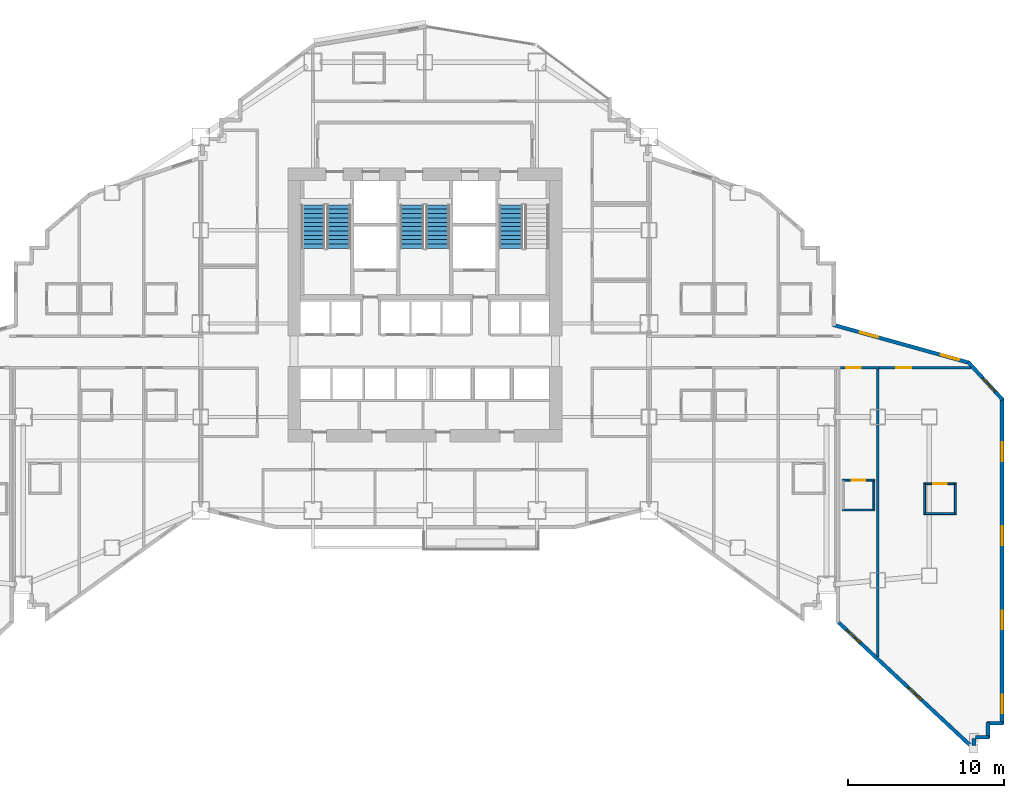
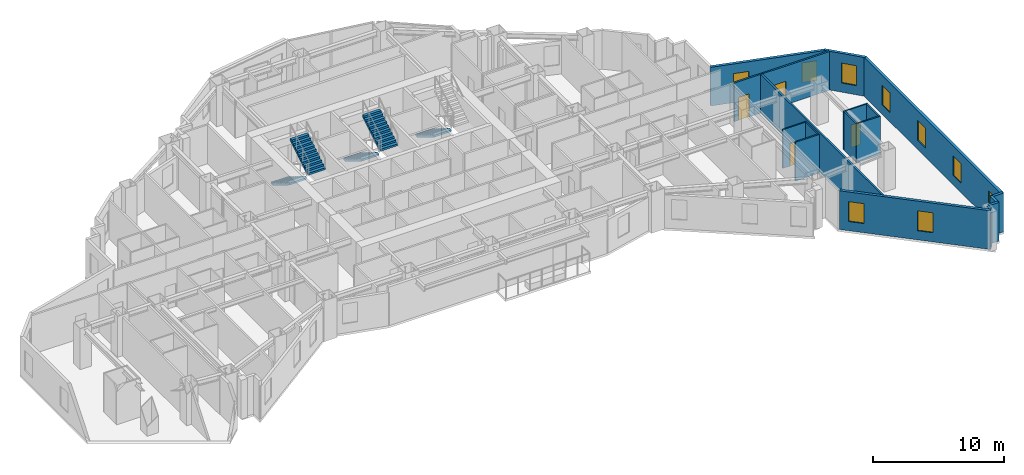
# One storey, part 13 of 17: 18 walls, 9 windows, 5 stair flights, 4 doors, 13 openings, 3 elements without a shape of their own.
"""IFC4 building model written with IfcOpenShell, lengths in metres."""

from ifc_helpers import new_model, si_unit, direction, frame, frame_2d, origin, place, context, subcontext, project, spatial, polyline, rectangle, outline, extrude, material, layer, layer_set, type_object, element, fill, aggregate, save


model = new_model("IFC4")

# Units and contexts
model_context = context("Model", 3, precision=1e-05, world=origin(), true_north=direction((0.0, 1.0)))
body_context = subcontext(model_context, "Body", "Model", "MODEL_VIEW")
ifc_project = project(units=[si_unit("LENGTHUNIT", "METRE"), si_unit("AREAUNIT", "SQUARE_METRE"), si_unit("VOLUMEUNIT", "CUBIC_METRE"), si_unit("PLANEANGLEUNIT", "RADIAN"), si_unit("MASSUNIT", "GRAM", prefix="KILO")], contexts=[model_context])

# Site, building, storey
site_placement = place(None, origin())
site = spatial("IfcSite", under=ifc_project, at=site_placement, CompositionType="ELEMENT")
building_placement = place(site_placement, origin())
building = spatial("IfcBuilding", under=site, at=building_placement, Name="Haolan Belvedere Tower", CompositionType="ELEMENT")
storey_placement = place(building_placement, frame((0.0, 0.0, 81.800048828125)))
storey = spatial("IfcBuildingStorey", under=building, at=storey_placement, Name="L20", CompositionType="ELEMENT", Elevation=81.800048828125)

# Wall, openings, windows
ifc_material_1 = material(Name="Precast concrete C40/50", Category="concrete")
ifc_layer_1 = layer(ifc_material_1, 0.239990234375, Name="Precast concrete C40/50")
ifc_layer_set_1 = layer_set([ifc_layer_1], Name="Precast concrete C40/50")
wall_type_1 = type_object("IfcWallType", Name="WL-EXT-240", PredefinedType="SOLIDWALL", material=ifc_layer_set_1)
wall_1_placement = place(storey_placement, frame((64.978515625, 14.3974609375, 0.0), z_axis=(0.0, 0.0, 1.0), x_axis=(0.731053894258, -0.682319722484, 0.0)))
wall_1 = element("IfcWall", 1, at=wall_1_placement, inside=storey, type_object=wall_type_1, Name="L20 pale-metal exterior spandrel wall 21.1", PredefinedType="SOLIDWALL", context=body_context, shape_type="SweptSolid", body=[
    extrude(rectangle(XDim=11.817626953125, YDim=0.239990234375, at=frame_2d((5.90869140625, 0.0))), origin(), (0.0, 0.0, 1.0), 3.599853515625),
])
opening_1_placement = place(wall_1_placement, frame((0.699951171875, 0.0, 0.85009765625)))
opening_1 = element("IfcOpeningElement", 2, at=opening_1_placement, cuts=wall_1, Name="Opening W-01", PredefinedType="OPENING", context=body_context, shape_type="SweptSolid", body=[
    extrude(rectangle(XDim=1.199951171875, YDim=1.85009765625, at=frame_2d((0.60009765625, 0.925048828125))), frame((0.0, 0.1298828125, 0.0), z_axis=(0.0, -1.0, 0.0), x_axis=(1.0, 0.0, 0.0)), (0.0, 0.0, 1.0), 0.260009765625),
])
opening_2_placement = place(wall_1_placement, frame((6.10009765625, 0.0, 0.85009765625)))
opening_2 = element("IfcOpeningElement", 3, at=opening_2_placement, cuts=wall_1, Name="Opening W-01", PredefinedType="OPENING", context=body_context, shape_type="SweptSolid", body=[
    extrude(rectangle(XDim=1.199951171875, YDim=1.85009765625, at=frame_2d((0.60009765625, 0.925048828125))), frame((0.0, 0.1298828125, 0.0), z_axis=(0.0, -1.0, 0.0), x_axis=(1.0, 0.0, 0.0)), (0.0, 0.0, 1.0), 0.260009765625),
])
ifc_material_2 = material(Name="Anodised aluminium 6063-T6 and Low-E glass", Category="aluminium")
window_type = type_object("IfcWindowType", Name="WN-DECO-Z1", PartitioningType="SINGLE_PANEL", PredefinedType="WINDOW", material=ifc_material_2)
window_1_placement = place(opening_1_placement, origin())
window_1 = element("IfcWindow", 4, at=window_1_placement, inside=storey, type_object=window_type, Name="L20 Art Deco chevron window 1", OverallHeight=1.85009765625, OverallWidth=1.199951171875, PartitioningType="SINGLE_PANEL", PredefinedType="WINDOW", context=body_context, shape_type="SweptSolid", body=[
    extrude(rectangle(XDim=1.199951171875, YDim=1.85009765625, at=frame_2d((0.60009765625, 0.925048828125))), frame((0.0, 0.030029296875, 0.0), z_axis=(0.0, -1.0, 0.0), x_axis=(1.0, 0.0, 0.0)), (0.0, 0.0, 1.0), 0.06005859375),
])
fill(opening_1, window_1)
window_2_placement = place(opening_2_placement, origin())
window_2 = element("IfcWindow", 5, at=window_2_placement, inside=storey, type_object=window_type, Name="L20 Art Deco chevron window 2", OverallHeight=1.85009765625, OverallWidth=1.199951171875, PartitioningType="SINGLE_PANEL", PredefinedType="WINDOW", context=body_context, shape_type="SweptSolid", body=[
    extrude(rectangle(XDim=1.199951171875, YDim=1.85009765625, at=frame_2d((0.60009765625, 0.925048828125))), frame((0.0, 0.030029296875, 0.0), z_axis=(0.0, -1.0, 0.0), x_axis=(1.0, 0.0, 0.0)), (0.0, 0.0, 1.0), 0.06005859375),
])
fill(opening_2, window_2)

# Walls
wall_2_placement = place(storey_placement, frame((73.679931640625, 6.481201171875, 0.0), z_axis=(0.0, 0.0, 1.0), x_axis=(0.0, 1.0, 0.0)))
element("IfcWall", 6, at=wall_2_placement, inside=storey, type_object=wall_type_1, Name="L20 pale-metal exterior spandrel wall 22.1", PredefinedType="SOLIDWALL", context=body_context, shape_type="SweptSolid", body=[
    extrude(rectangle(XDim=0.453857421875, YDim=0.239990234375, at=frame_2d((0.22705078125, 0.0))), origin(), (0.0, 0.0, 1.0), 3.599853515625),
])
wall_3_placement = place(storey_placement, frame((73.764892578125, 7.02001953125, 0.0), z_axis=(0.0, 0.0, 1.0), x_axis=(1.0, 0.0, 0.0)))
element("IfcWall", 7, at=wall_3_placement, inside=storey, type_object=wall_type_1, Name="L20 pale-metal exterior spandrel wall 23.1", PredefinedType="SOLIDWALL", context=body_context, shape_type="SweptSolid", body=[
    extrude(rectangle(XDim=0.8701171875, YDim=0.239990234375, at=frame_2d((0.43505859375, 0.0))), origin(), (0.0, 0.0, 1.0), 3.599853515625),
])
for number, where, z_axis, x_axis, name in (
    (8, (74.580078125, 6.965087890625, 0.0), (0.0, 0.0, 1.0), (0.0, 1.0, 0.0), "L20 pale-metal exterior spandrel wall 24.1"),
    (9, (74.52490234375, 7.919921875, 0.0), (0.0, 0.0, 1.0), (1.0, 0.0, 0.0), "L20 pale-metal exterior spandrel wall 25.1"),
):
    element("IfcWall", number, at=place(storey_placement, frame(where, z_axis=z_axis, x_axis=x_axis)), inside=storey, type_object=wall_type_1, Name=name, PredefinedType="SOLIDWALL", context=body_context, shape_type="SweptSolid", body=[
        extrude(rectangle(XDim=1.010009765625, YDim=0.239990234375, at=frame_2d((0.5048828125, 0.0))), origin(), (0.0, 0.0, 1.0), 3.599853515625),
    ])

# Wall, openings, windows
wall_4_placement = place(storey_placement, frame((75.47998046875, 7.864990234375, 0.0), z_axis=(0.0, 0.0, 1.0), x_axis=(0.0, 1.0, 0.0)))
wall_4 = element("IfcWall", 10, at=wall_4_placement, inside=storey, type_object=wall_type_1, Name="L20 pale-metal exterior spandrel wall 26.1", PredefinedType="SOLIDWALL", context=body_context, shape_type="SweptSolid", body=[
    extrude(rectangle(XDim=20.943359375, YDim=0.239990234375, at=frame_2d((10.4716796875, 0.0))), origin(), (0.0, 0.0, 1.0), 3.599853515625),
])
opening_3_placement = place(wall_4_placement, frame((0.699951171875, 0.0, 0.85009765625)))
opening_3 = element("IfcOpeningElement", 11, at=opening_3_placement, cuts=wall_4, Name="Opening W-01", PredefinedType="OPENING", context=body_context, shape_type="SweptSolid", body=[
    extrude(rectangle(XDim=1.199951171875, YDim=1.85009765625, at=frame_2d((0.60009765625, 0.925048828125))), frame((0.0, 0.1298828125, 0.0), z_axis=(0.0, -1.0, 0.0), x_axis=(1.0, 0.0, 0.0)), (0.0, 0.0, 1.0), 0.260009765625),
])
opening_4_placement = place(wall_4_placement, frame((6.10009765625, 0.0, 0.85009765625)))
opening_4 = element("IfcOpeningElement", 12, at=opening_4_placement, cuts=wall_4, Name="Opening W-01", PredefinedType="OPENING", context=body_context, shape_type="SweptSolid", body=[
    extrude(rectangle(XDim=1.199951171875, YDim=1.85009765625, at=frame_2d((0.60009765625, 0.925048828125))), frame((0.0, 0.1298828125, 0.0), z_axis=(0.0, -1.0, 0.0), x_axis=(1.0, 0.0, 0.0)), (0.0, 0.0, 1.0), 0.260009765625),
])
opening_5_placement = place(wall_4_placement, frame((11.5, 0.0, 0.85009765625)))
opening_5 = element("IfcOpeningElement", 13, at=opening_5_placement, cuts=wall_4, Name="Opening W-01", PredefinedType="OPENING", context=body_context, shape_type="SweptSolid", body=[
    extrude(rectangle(XDim=1.199951171875, YDim=1.85009765625, at=frame_2d((0.60009765625, 0.925048828125))), frame((0.0, 0.1298828125, 0.0), z_axis=(0.0, -1.0, 0.0), x_axis=(1.0, 0.0, 0.0)), (0.0, 0.0, 1.0), 0.260009765625),
])
opening_6_placement = place(wall_4_placement, frame((16.89990234375, 0.0, 0.85009765625)))
opening_6 = element("IfcOpeningElement", 14, at=opening_6_placement, cuts=wall_4, Name="Opening W-01", PredefinedType="OPENING", context=body_context, shape_type="SweptSolid", body=[
    extrude(rectangle(XDim=1.199951171875, YDim=1.85009765625, at=frame_2d((0.60009765625, 0.925048828125))), frame((0.0, 0.1298828125, 0.0), z_axis=(0.0, -1.0, 0.0), x_axis=(1.0, 0.0, 0.0)), (0.0, 0.0, 1.0), 0.260009765625),
])
window_3_placement = place(opening_3_placement, origin())
window_3 = element("IfcWindow", 15, at=window_3_placement, inside=storey, type_object=window_type, Name="L20 Art Deco chevron window 1", OverallHeight=1.85009765625, OverallWidth=1.199951171875, PartitioningType="SINGLE_PANEL", PredefinedType="WINDOW", context=body_context, shape_type="SweptSolid", body=[
    extrude(rectangle(XDim=1.199951171875, YDim=1.85009765625, at=frame_2d((0.60009765625, 0.925048828125))), frame((0.0, 0.030029296875, 0.0), z_axis=(0.0, -1.0, 0.0), x_axis=(1.0, 0.0, 0.0)), (0.0, 0.0, 1.0), 0.06005859375),
])
fill(opening_3, window_3)
window_4_placement = place(opening_4_placement, origin())
window_4 = element("IfcWindow", 16, at=window_4_placement, inside=storey, type_object=window_type, Name="L20 Art Deco chevron window 2", OverallHeight=1.85009765625, OverallWidth=1.199951171875, PartitioningType="SINGLE_PANEL", PredefinedType="WINDOW", context=body_context, shape_type="SweptSolid", body=[
    extrude(rectangle(XDim=1.199951171875, YDim=1.85009765625, at=frame_2d((0.60009765625, 0.925048828125))), frame((0.0, 0.030029296875, 0.0), z_axis=(0.0, -1.0, 0.0), x_axis=(1.0, 0.0, 0.0)), (0.0, 0.0, 1.0), 0.06005859375),
])
fill(opening_4, window_4)
window_5_placement = place(opening_5_placement, origin())
window_5 = element("IfcWindow", 17, at=window_5_placement, inside=storey, type_object=window_type, Name="L20 Art Deco chevron window 3", OverallHeight=1.85009765625, OverallWidth=1.199951171875, PartitioningType="SINGLE_PANEL", PredefinedType="WINDOW", context=body_context, shape_type="SweptSolid", body=[
    extrude(rectangle(XDim=1.199951171875, YDim=1.85009765625, at=frame_2d((0.60009765625, 0.925048828125))), frame((0.0, 0.030029296875, 0.0), z_axis=(0.0, -1.0, 0.0), x_axis=(1.0, 0.0, 0.0)), (0.0, 0.0, 1.0), 0.06005859375),
])
fill(opening_5, window_5)
window_6_placement = place(opening_6_placement, origin())
window_6 = element("IfcWindow", 18, at=window_6_placement, inside=storey, type_object=window_type, Name="L20 Art Deco chevron window 4", OverallHeight=1.85009765625, OverallWidth=1.199951171875, PartitioningType="SINGLE_PANEL", PredefinedType="WINDOW", context=body_context, shape_type="SweptSolid", body=[
    extrude(rectangle(XDim=1.199951171875, YDim=1.85009765625, at=frame_2d((0.60009765625, 0.925048828125))), frame((0.0, 0.030029296875, 0.0), z_axis=(0.0, -1.0, 0.0), x_axis=(1.0, 0.0, 0.0)), (0.0, 0.0, 1.0), 0.06005859375),
])
fill(opening_6, window_6)

# Wall, opening, window
wall_5_placement = place(storey_placement, frame((75.51708984375, 28.712890625, 0.0), z_axis=(0.0, 0.0, 1.0), x_axis=(-0.67574145796, 0.737138712858, 0.0)))
wall_5 = element("IfcWall", 19, at=wall_5_placement, inside=storey, type_object=wall_type_1, Name="L20 pale-metal exterior spandrel wall 27.1", PredefinedType="SOLIDWALL", context=body_context, shape_type="SweptSolid", body=[
    extrude(rectangle(XDim=3.284423828125, YDim=0.239990234375, at=frame_2d((1.64208984375, 0.0))), origin(), (0.0, 0.0, 1.0), 3.599853515625),
])
opening_7_placement = place(wall_5_placement, frame((0.699951171875, 0.0, 0.85009765625)))
opening_7 = element("IfcOpeningElement", 20, at=opening_7_placement, cuts=wall_5, Name="Opening W-01", PredefinedType="OPENING", context=body_context, shape_type="SweptSolid", body=[
    extrude(rectangle(XDim=1.199951171875, YDim=1.85009765625, at=frame_2d((0.60009765625, 0.925048828125))), frame((0.0, 0.1298828125, 0.0), z_axis=(0.0, -1.0, 0.0), x_axis=(1.0, 0.0, 0.0)), (0.0, 0.0, 1.0), 0.260009765625),
])
window_7_placement = place(opening_7_placement, origin())
window_7 = element("IfcWindow", 21, at=window_7_placement, inside=storey, type_object=window_type, Name="L20 Art Deco chevron window 1", OverallHeight=1.85009765625, OverallWidth=1.199951171875, PartitioningType="SINGLE_PANEL", PredefinedType="WINDOW", context=body_context, shape_type="SweptSolid", body=[
    extrude(rectangle(XDim=1.199951171875, YDim=1.85009765625, at=frame_2d((0.60009765625, 0.925048828125))), frame((0.0, 0.030029296875, 0.0), z_axis=(0.0, -1.0, 0.0), x_axis=(1.0, 0.0, 0.0)), (0.0, 0.0, 1.0), 0.06005859375),
])
fill(opening_7, window_7)

# Wall, openings, windows
wall_6_placement = place(storey_placement, frame((73.3876953125, 31.078857421875, 0.0), z_axis=(0.0, 0.0, 1.0), x_axis=(-0.963197271032, 0.268795493036, 0.0)))
wall_6 = element("IfcWall", 22, at=wall_6_placement, inside=storey, type_object=wall_type_1, Name="L20 pale-metal exterior spandrel wall 28.1", PredefinedType="SOLIDWALL", context=body_context, shape_type="SweptSolid", body=[
    extrude(rectangle(XDim=9.095458984375, YDim=0.239990234375, at=frame_2d((4.5478515625, 0.0))), origin(), (0.0, 0.0, 1.0), 3.599853515625),
])
opening_8_placement = place(wall_6_placement, frame((0.699951171875, 0.0, 0.85009765625)))
opening_8 = element("IfcOpeningElement", 23, at=opening_8_placement, cuts=wall_6, Name="Opening W-01", PredefinedType="OPENING", context=body_context, shape_type="SweptSolid", body=[
    extrude(rectangle(XDim=1.199951171875, YDim=1.85009765625, at=frame_2d((0.60009765625, 0.925048828125))), frame((0.0, 0.1298828125, 0.0), z_axis=(0.0, -1.0, 0.0), x_axis=(1.0, 0.0, 0.0)), (0.0, 0.0, 1.0), 0.260009765625),
])
opening_9_placement = place(wall_6_placement, frame((6.10009765625, 0.0, 0.85009765625)))
opening_9 = element("IfcOpeningElement", 24, at=opening_9_placement, cuts=wall_6, Name="Opening W-01", PredefinedType="OPENING", context=body_context, shape_type="SweptSolid", body=[
    extrude(rectangle(XDim=1.199951171875, YDim=1.85009765625, at=frame_2d((0.60009765625, 0.925048828125))), frame((0.0, 0.1298828125, 0.0), z_axis=(0.0, -1.0, 0.0), x_axis=(1.0, 0.0, 0.0)), (0.0, 0.0, 1.0), 0.260009765625),
])
window_8_placement = place(opening_8_placement, origin())
window_8 = element("IfcWindow", 25, at=window_8_placement, inside=storey, type_object=window_type, Name="L20 Art Deco chevron window 1", OverallHeight=1.85009765625, OverallWidth=1.199951171875, PartitioningType="SINGLE_PANEL", PredefinedType="WINDOW", context=body_context, shape_type="SweptSolid", body=[
    extrude(rectangle(XDim=1.199951171875, YDim=1.85009765625, at=frame_2d((0.60009765625, 0.925048828125))), frame((0.0, 0.030029296875, 0.0), z_axis=(0.0, -1.0, 0.0), x_axis=(1.0, 0.0, 0.0)), (0.0, 0.0, 1.0), 0.06005859375),
])
fill(opening_8, window_8)
window_9_placement = place(opening_9_placement, origin())
window_9 = element("IfcWindow", 26, at=window_9_placement, inside=storey, type_object=window_type, Name="L20 Art Deco chevron window 2", OverallHeight=1.85009765625, OverallWidth=1.199951171875, PartitioningType="SINGLE_PANEL", PredefinedType="WINDOW", context=body_context, shape_type="SweptSolid", body=[
    extrude(rectangle(XDim=1.199951171875, YDim=1.85009765625, at=frame_2d((0.60009765625, 0.925048828125))), frame((0.0, 0.030029296875, 0.0), z_axis=(0.0, -1.0, 0.0), x_axis=(1.0, 0.0, 0.0)), (0.0, 0.0, 1.0), 0.06005859375),
])
fill(opening_9, window_9)

# Wall, opening, door
ifc_material_3 = material(Name="Double gypsum acoustic stud partition", Category="masonry")
ifc_layer_2 = layer(ifc_material_3, 0.14990234375, Name="Double gypsum acoustic stud partition")
ifc_layer_set_2 = layer_set([ifc_layer_2], Name="Double gypsum acoustic stud partition")
wall_type_2 = type_object("IfcWallType", Name="WL-PART-150", PredefinedType="PARTITIONING", material=ifc_layer_set_2)
wall_7_placement = place(storey_placement, frame((65.10205078125, 30.77001953125, 0.0), z_axis=(0.0, 0.0, 1.0), x_axis=(1.0, 0.0, 0.0)))
wall_7 = element("IfcWall", 27, at=wall_7_placement, inside=storey, type_object=wall_type_2, Name="L20 interior partition IW-L20-T5S1-N", PredefinedType="PARTITIONING", context=body_context, shape_type="SweptSolid", body=[
    extrude(rectangle(XDim=2.498046875, YDim=0.14990234375, at=frame_2d((1.2490234375, 0.0))), origin(), (0.0, 0.0, 1.0), 3.599853515625),
])
opening_10_placement = place(wall_7_placement, frame((1.311767578125, 0.0, 0.0), z_axis=(0.0, 0.0, 1.0), x_axis=(-1.0, 0.0, 0.0)))
opening_10 = element("IfcOpeningElement", 28, at=opening_10_placement, cuts=wall_7, Name="Opening ID-02", PredefinedType="OPENING", context=body_context, shape_type="SweptSolid", body=[
    extrude(rectangle(XDim=0.949951171875, YDim=2.14990234375, at=frame_2d((0.47509765625, 1.074951171875))), frame((0.0, 0.0849609375, 0.0), z_axis=(0.0, -1.0, 0.0), x_axis=(1.0, 0.0, 0.0)), (0.0, 0.0, 1.0), 0.169921875),
])
ifc_material_4 = material(Name="Acoustic oak veneer fire-rated timber", Category="wood")
door_type_1 = type_object("IfcDoorType", Name="DR-GUEST-950", OperationType="NOTDEFINED", PredefinedType="DOOR", material=ifc_material_4)
door_1_placement = place(opening_10_placement, origin())
door_1 = element("IfcDoor", 29, at=door_1_placement, inside=storey, type_object=door_type_1, Name="L20 door ID-L20-T5S1-ENT", OperationType="SINGLE_SWING_LEFT", OverallHeight=2.14990234375, OverallWidth=0.949951171875, PredefinedType="DOOR", context=body_context, shape_type="SweptSolid", body=[
    extrude(rectangle(XDim=0.949951171875, YDim=2.14990234375, at=frame_2d((0.47509765625, 1.074951171875))), frame((0.0, 0.02490234375, 0.0), z_axis=(0.0, -1.0, 0.0), x_axis=(1.0, 0.0, 0.0)), (0.0, 0.0, 1.0), 0.050048828125),
])
fill(opening_10, door_1)

# Wall
wall_8_placement = place(storey_placement, frame((67.5, 12.187744140625, 0.0), z_axis=(0.0, 0.0, 1.0), x_axis=(0.0, 1.0, 0.0)))
element("IfcWall", 30, at=wall_8_placement, inside=storey, type_object=wall_type_2, Name="L20 interior partition IW-L20-T5S1-E", PredefinedType="PARTITIONING", context=body_context, shape_type="SweptSolid", body=[
    extrude(rectangle(XDim=18.522216796875, YDim=0.14990234375, at=frame_2d((9.26123046875, 0.0))), origin(), (0.0, 0.0, 1.0), 3.599853515625),
])

# Wall, opening, door
wall_9_placement = place(storey_placement, frame((67.60205078125, 30.77001953125, 0.0), z_axis=(0.0, 0.0, 1.0), x_axis=(1.0, 0.0, 0.0)))
wall_9 = element("IfcWall", 31, at=wall_9_placement, inside=storey, type_object=wall_type_2, Name="L20 interior partition IW-L20-T5S2-N", PredefinedType="PARTITIONING", context=body_context, shape_type="SweptSolid", body=[
    extrude(rectangle(XDim=5.88671875, YDim=0.14990234375, at=frame_2d((2.943359375, 0.0))), origin(), (0.0, 0.0, 1.0), 3.599853515625),
])
opening_11_placement = place(wall_9_placement, frame((2.0361328125, 0.0, 0.0), z_axis=(0.0, 0.0, 1.0), x_axis=(-1.0, 0.0, 0.0)))
opening_11 = element("IfcOpeningElement", 32, at=opening_11_placement, cuts=wall_9, Name="Opening ID-01", PredefinedType="OPENING", context=body_context, shape_type="SweptSolid", body=[
    extrude(rectangle(XDim=0.949951171875, YDim=2.179931640625, at=frame_2d((0.47509765625, 1.08984375))), frame((0.0, 0.0849609375, 0.0), z_axis=(0.0, -1.0, 0.0), x_axis=(1.0, 0.0, 0.0)), (0.0, 0.0, 1.0), 0.169921875),
])
ifc_material_5 = material(Name="Acoustic walnut veneer fire-rated timber", Category="wood")
door_type_2 = type_object("IfcDoorType", Name="DR-SUITE-950", OperationType="NOTDEFINED", PredefinedType="DOOR", material=ifc_material_5)
door_2_placement = place(opening_11_placement, origin())
door_2 = element("IfcDoor", 33, at=door_2_placement, inside=storey, type_object=door_type_2, Name="L20 door ID-L20-T5S2-ENT", OperationType="SINGLE_SWING_RIGHT", OverallHeight=2.179931640625, OverallWidth=0.949951171875, PredefinedType="DOOR", context=body_context, shape_type="SweptSolid", body=[
    extrude(rectangle(XDim=0.949951171875, YDim=2.179931640625, at=frame_2d((0.47509765625, 1.08984375))), frame((0.0, 0.02490234375, 0.0), z_axis=(0.0, -1.0, 0.0), x_axis=(1.0, 0.0, 0.0)), (0.0, 0.0, 1.0), 0.050048828125),
])
fill(opening_11, door_2)

ifc_material_6 = material(Name="Moisture-resistant gypsum tile partition", Category="masonry")
ifc_layer_3 = layer(ifc_material_6, 0.1201171875, Name="Moisture-resistant gypsum tile partition")
ifc_layer_set_3 = layer_set([ifc_layer_3], Name="Moisture-resistant gypsum tile partition")
wall_type_3 = type_object("IfcWallType", Name="WL-WET-120", PredefinedType="PARTITIONING", material=ifc_layer_set_3)
wall_10_placement = place(storey_placement, frame((65.20703125, 23.541015625, 0.0), z_axis=(0.0, 0.0, 1.0), x_axis=(1.0, 0.0, 0.0)))
wall_10 = element("IfcWall", 34, at=wall_10_placement, inside=storey, type_object=wall_type_3, Name="L20 interior partition IW-L20-T5S1-BN", PredefinedType="PARTITIONING", context=body_context, shape_type="SweptSolid", body=[
    extrude(rectangle(XDim=2.099853515625, YDim=0.1201171875, at=frame_2d((1.0498046875, 0.0))), origin(), (0.0, 0.0, 1.0), 3.599853515625),
])
opening_12_placement = place(wall_10_placement, frame((1.47509765625, 0.0, 0.0), z_axis=(0.0, 0.0, 1.0), x_axis=(-1.0, 0.0, 0.0)))
opening_12 = element("IfcOpeningElement", 35, at=opening_12_placement, cuts=wall_10, Name="Opening ID-05", PredefinedType="OPENING", context=body_context, shape_type="SweptSolid", body=[
    extrude(rectangle(XDim=0.85009765625, YDim=2.10009765625, at=frame_2d((0.425048828125, 1.050048828125))), frame((0.0, 0.070068359375, 0.0), z_axis=(0.0, -1.0, 0.0), x_axis=(1.0, 0.0, 0.0)), (0.0, 0.0, 1.0), 0.14013671875),
])
ifc_material_7 = material(Name="Moisture-resistant lacquered timber", Category="wood")
door_type_3 = type_object("IfcDoorType", Name="DR-BATH-850", OperationType="NOTDEFINED", PredefinedType="DOOR", material=ifc_material_7)
door_3_placement = place(opening_12_placement, origin())
door_3 = element("IfcDoor", 36, at=door_3_placement, inside=storey, type_object=door_type_3, Name="L20 door ID-L20-T5S1-BATH", OperationType="SINGLE_SWING_RIGHT", OverallHeight=2.10009765625, OverallWidth=0.85009765625, PredefinedType="DOOR", context=body_context, shape_type="SweptSolid", body=[
    extrude(rectangle(XDim=0.85009765625, YDim=2.10009765625, at=frame_2d((0.425048828125, 1.050048828125))), frame((0.0, 0.02490234375, 0.0), z_axis=(0.0, -1.0, 0.0), x_axis=(1.0, 0.0, 0.0)), (0.0, 0.0, 1.0), 0.050048828125),
])
fill(opening_12, door_3)

# Walls
wall_11_placement = place(storey_placement, frame((65.20703125, 21.62109375, 0.0), z_axis=(0.0, 0.0, 1.0), x_axis=(1.0, 0.0, 0.0)))
element("IfcWall", 37, at=wall_11_placement, inside=storey, type_object=wall_type_3, Name="L20 interior partition IW-L20-T5S1-BS", PredefinedType="PARTITIONING", context=body_context, shape_type="SweptSolid", body=[
    extrude(rectangle(XDim=2.099853515625, YDim=0.1201171875, at=frame_2d((1.0498046875, 0.0))), origin(), (0.0, 0.0, 1.0), 3.599853515625),
])
wall_12_placement = place(storey_placement, frame((67.2470703125, 21.666015625, 0.0), z_axis=(0.0, 0.0, 1.0), x_axis=(0.0, 1.0, 0.0)))
element("IfcWall", 38, at=wall_12_placement, inside=storey, type_object=wall_type_3, Name="L20 interior partition IW-L20-T5S1-BE", PredefinedType="PARTITIONING", context=body_context, shape_type="SweptSolid", body=[
    extrude(rectangle(XDim=1.830078125, YDim=0.1201171875, at=frame_2d((0.9150390625, 0.0))), origin(), (0.0, 0.0, 1.0), 3.599853515625),
])

# Wall, opening, door
wall_13_placement = place(storey_placement, frame((70.443115234375, 23.31005859375, 0.0), z_axis=(0.0, 0.0, 1.0), x_axis=(1.0, 0.0, 0.0)))
wall_13 = element("IfcWall", 39, at=wall_13_placement, inside=storey, type_object=wall_type_3, Name="L20 interior partition IW-L20-T5S2-BN", PredefinedType="PARTITIONING", context=body_context, shape_type="SweptSolid", body=[
    extrude(rectangle(XDim=2.099853515625, YDim=0.1201171875, at=frame_2d((1.0498046875, 0.0))), origin(), (0.0, 0.0, 1.0), 3.599853515625),
])
opening_13_placement = place(wall_13_placement, frame((1.47509765625, 0.0, 0.0), z_axis=(0.0, 0.0, 1.0), x_axis=(-1.0, 0.0, 0.0)))
opening_13 = element("IfcOpeningElement", 40, at=opening_13_placement, cuts=wall_13, Name="Opening ID-05", PredefinedType="OPENING", context=body_context, shape_type="SweptSolid", body=[
    extrude(rectangle(XDim=0.85009765625, YDim=2.10009765625, at=frame_2d((0.425048828125, 1.050048828125))), frame((0.0, 0.070068359375, 0.0), z_axis=(0.0, -1.0, 0.0), x_axis=(1.0, 0.0, 0.0)), (0.0, 0.0, 1.0), 0.14013671875),
])
door_4_placement = place(opening_13_placement, origin())
door_4 = element("IfcDoor", 41, at=door_4_placement, inside=storey, type_object=door_type_3, Name="L20 door ID-L20-T5S2-BATH", OperationType="SINGLE_SWING_LEFT", OverallHeight=2.10009765625, OverallWidth=0.85009765625, PredefinedType="DOOR", context=body_context, shape_type="SweptSolid", body=[
    extrude(rectangle(XDim=0.85009765625, YDim=2.10009765625, at=frame_2d((0.425048828125, 1.050048828125))), frame((0.0, 0.02490234375, 0.0), z_axis=(0.0, -1.0, 0.0), x_axis=(1.0, 0.0, 0.0)), (0.0, 0.0, 1.0), 0.050048828125),
])
fill(opening_13, door_4)

# Walls
wall_14_placement = place(storey_placement, frame((70.443115234375, 21.389892578125, 0.0), z_axis=(0.0, 0.0, 1.0), x_axis=(1.0, 0.0, 0.0)))
element("IfcWall", 42, at=wall_14_placement, inside=storey, type_object=wall_type_3, Name="L20 interior partition IW-L20-T5S2-BS", PredefinedType="PARTITIONING", context=body_context, shape_type="SweptSolid", body=[
    extrude(rectangle(XDim=2.099853515625, YDim=0.1201171875, at=frame_2d((1.0498046875, 0.0))), origin(), (0.0, 0.0, 1.0), 3.599853515625),
])
for number, where, z_axis, x_axis, name in (
    (43, (70.5029296875, 21.43505859375, 0.0), (0.0, 0.0, 1.0), (0.0, 1.0, 0.0), "L20 interior partition IW-L20-T5S2-BW"),
    (44, (72.48291015625, 21.43505859375, 0.0), (0.0, 0.0, 1.0), (0.0, 1.0, 0.0), "L20 interior partition IW-L20-T5S2-BE"),
):
    element("IfcWall", number, at=place(storey_placement, frame(where, z_axis=z_axis, x_axis=x_axis)), inside=storey, type_object=wall_type_3, Name=name, PredefinedType="PARTITIONING", context=body_context, shape_type="SweptSolid", body=[
        extrude(rectangle(XDim=1.829833984375, YDim=0.1201171875, at=frame_2d((0.9150390625, 0.0))), origin(), (0.0, 0.0, 1.0), 3.599853515625),
    ])

# Stair, stair flights
ifc_material_8 = material(Name="Concrete C40/50", Category="concrete")
stair_type = type_object("IfcStairType", Name="STR-DL-22R-173", PredefinedType="HALF_TURN_STAIR", material=ifc_material_8)
stair_1_placement = place(storey_placement, origin())
stair_1 = element("IfcStair", 45, at=stair_1_placement, inside=storey, type_object=stair_type, Name="L20 Smokeproof Core Exit Stair ST1", PredefinedType="HALF_TURN_STAIR")
stair_flight_type = type_object("IfcStairFlightType", Name="SFL-DL-11R-173", PredefinedType="STRAIGHT", material=ifc_material_8)
stair_flight_1_placement = place(storey_placement, frame((31.2099609375, 41.22998046875, 0.0), z_axis=(0.0, 0.0, 1.0), x_axis=(0.0, -1.0, 0.0)))
stair_flight_1 = element("IfcStairFlight", 46, at=stair_flight_1_placement, type_object=stair_flight_type, Name="ST1 flight 1", NumberOfRisers=11, NumberOfTreads=10, PredefinedType="STRAIGHT", RiserHeight=0.172727273, TreadLength=0.28, context=body_context, shape_type="SweptSolid", body=[
    extrude(outline(polyline([(0.0, 0.0), (0.0, 0.172607421875), (0.280029296875, 0.172607421875), (0.280029296875, 0.345458984375), (0.56005859375, 0.345458984375), (0.56005859375, 0.51806640625), (0.840087890625, 0.51806640625), (0.840087890625, 0.69091796875), (1.1201171875, 0.69091796875), (1.1201171875, 0.863525390625), (1.39990234375, 0.863525390625), (1.39990234375, 1.036376953125), (1.679931640625, 1.036376953125), (1.679931640625, 1.208984375), (1.9599609375, 1.208984375), (1.9599609375, 1.3818359375), (2.239990234375, 1.3818359375), (2.239990234375, 1.554443359375), (2.52001953125, 1.554443359375), (2.52001953125, 1.727294921875), (2.800048828125, 1.727294921875), (2.800048828125, 1.89990234375), (2.800048828125, 1.551025390625), (0.285400390625, 0.0), (0.0, 0.0)])), frame((0.0, 0.760009765625, 0.0), z_axis=(0.0, -1.0, 0.0), x_axis=(1.0, 0.0, 0.0)), (0.0, 0.0, 1.0), 1.52001953125),
])
stair_flight_2_placement = place(storey_placement, frame((32.8701171875, 38.429931640625, 1.89990234375), z_axis=(0.0, 0.0, 1.0), x_axis=(0.0, 1.0, 0.0)))
stair_flight_2 = element("IfcStairFlight", 47, at=stair_flight_2_placement, type_object=stair_flight_type, Name="ST1 flight 2", NumberOfRisers=11, NumberOfTreads=10, PredefinedType="STRAIGHT", RiserHeight=0.172727273, TreadLength=0.28, context=body_context, shape_type="SweptSolid", body=[
    extrude(outline(polyline([(0.0, 0.0), (0.0, 0.172607421875), (0.280029296875, 0.172607421875), (0.280029296875, 0.345458984375), (0.56005859375, 0.345458984375), (0.56005859375, 0.51806640625), (0.840087890625, 0.51806640625), (0.840087890625, 0.69091796875), (1.1201171875, 0.69091796875), (1.1201171875, 0.863525390625), (1.39990234375, 0.863525390625), (1.39990234375, 1.036376953125), (1.679931640625, 1.036376953125), (1.679931640625, 1.208984375), (1.9599609375, 1.208984375), (1.9599609375, 1.3818359375), (2.239990234375, 1.3818359375), (2.239990234375, 1.554443359375), (2.52001953125, 1.554443359375), (2.52001953125, 1.727294921875), (2.800048828125, 1.727294921875), (2.800048828125, 1.89990234375), (2.800048828125, 1.551025390625), (0.285400390625, 0.0), (0.0, 0.0)])), frame((0.0, 0.760009765625, 0.0), z_axis=(0.0, -1.0, 0.0), x_axis=(1.0, 0.0, 0.0)), (0.0, 0.0, 1.0), 1.52001953125),
])
aggregate(stair_1, [stair_flight_1, stair_flight_2])

stair_2_placement = place(storey_placement, origin())
stair_2 = element("IfcStair", 48, at=stair_2_placement, inside=storey, type_object=stair_type, Name="L20 Smokeproof Core Exit Stair ST3", PredefinedType="HALF_TURN_STAIR")
stair_flight_3_placement = place(storey_placement, frame((37.570068359375, 41.22998046875, 0.0), z_axis=(0.0, 0.0, 1.0), x_axis=(0.0, -1.0, 0.0)))
stair_flight_3 = element("IfcStairFlight", 49, at=stair_flight_3_placement, type_object=stair_flight_type, Name="ST3 flight 1", NumberOfRisers=11, NumberOfTreads=10, PredefinedType="STRAIGHT", RiserHeight=0.172727273, TreadLength=0.28, context=body_context, shape_type="SweptSolid", body=[
    extrude(outline(polyline([(0.0, 0.0), (0.0, 0.172607421875), (0.280029296875, 0.172607421875), (0.280029296875, 0.345458984375), (0.56005859375, 0.345458984375), (0.56005859375, 0.51806640625), (0.840087890625, 0.51806640625), (0.840087890625, 0.69091796875), (1.1201171875, 0.69091796875), (1.1201171875, 0.863525390625), (1.39990234375, 0.863525390625), (1.39990234375, 1.036376953125), (1.679931640625, 1.036376953125), (1.679931640625, 1.208984375), (1.9599609375, 1.208984375), (1.9599609375, 1.3818359375), (2.239990234375, 1.3818359375), (2.239990234375, 1.554443359375), (2.52001953125, 1.554443359375), (2.52001953125, 1.727294921875), (2.800048828125, 1.727294921875), (2.800048828125, 1.89990234375), (2.800048828125, 1.551025390625), (0.285400390625, 0.0), (0.0, 0.0)])), frame((0.0, 0.760009765625, 0.0), z_axis=(0.0, -1.0, 0.0), x_axis=(1.0, 0.0, 0.0)), (0.0, 0.0, 1.0), 1.52001953125),
])
stair_flight_4_placement = place(storey_placement, frame((39.22998046875, 38.429931640625, 1.89990234375), z_axis=(0.0, 0.0, 1.0), x_axis=(0.0, 1.0, 0.0)))
stair_flight_4 = element("IfcStairFlight", 50, at=stair_flight_4_placement, type_object=stair_flight_type, Name="ST3 flight 2", NumberOfRisers=11, NumberOfTreads=10, PredefinedType="STRAIGHT", RiserHeight=0.172727273, TreadLength=0.28, context=body_context, shape_type="SweptSolid", body=[
    extrude(outline(polyline([(0.0, 0.0), (0.0, 0.172607421875), (0.280029296875, 0.172607421875), (0.280029296875, 0.345458984375), (0.56005859375, 0.345458984375), (0.56005859375, 0.51806640625), (0.840087890625, 0.51806640625), (0.840087890625, 0.69091796875), (1.1201171875, 0.69091796875), (1.1201171875, 0.863525390625), (1.39990234375, 0.863525390625), (1.39990234375, 1.036376953125), (1.679931640625, 1.036376953125), (1.679931640625, 1.208984375), (1.9599609375, 1.208984375), (1.9599609375, 1.3818359375), (2.239990234375, 1.3818359375), (2.239990234375, 1.554443359375), (2.52001953125, 1.554443359375), (2.52001953125, 1.727294921875), (2.800048828125, 1.727294921875), (2.800048828125, 1.89990234375), (2.800048828125, 1.551025390625), (0.285400390625, 0.0), (0.0, 0.0)])), frame((0.0, 0.760009765625, 0.0), z_axis=(0.0, -1.0, 0.0), x_axis=(1.0, 0.0, 0.0)), (0.0, 0.0, 1.0), 1.52001953125),
])
aggregate(stair_2, [stair_flight_3, stair_flight_4])

# Stair, stair flight
stair_3_placement = place(storey_placement, origin())
stair_3 = element("IfcStair", 51, at=stair_3_placement, inside=storey, type_object=stair_type, Name="L20 Smokeproof Core Exit Stair ST2", PredefinedType="HALF_TURN_STAIR")
stair_flight_5_placement = place(storey_placement, frame((43.929931640625, 41.22998046875, 0.0), z_axis=(0.0, 0.0, 1.0), x_axis=(0.0, -1.0, 0.0)))
stair_flight_5 = element("IfcStairFlight", 52, at=stair_flight_5_placement, type_object=stair_flight_type, Name="ST2 flight 1", NumberOfRisers=11, NumberOfTreads=10, PredefinedType="STRAIGHT", RiserHeight=0.172727273, TreadLength=0.28, context=body_context, shape_type="SweptSolid", body=[
    extrude(outline(polyline([(0.0, 0.0), (0.0, 0.172607421875), (0.280029296875, 0.172607421875), (0.280029296875, 0.345458984375), (0.56005859375, 0.345458984375), (0.56005859375, 0.51806640625), (0.840087890625, 0.51806640625), (0.840087890625, 0.69091796875), (1.1201171875, 0.69091796875), (1.1201171875, 0.863525390625), (1.39990234375, 0.863525390625), (1.39990234375, 1.036376953125), (1.679931640625, 1.036376953125), (1.679931640625, 1.208984375), (1.9599609375, 1.208984375), (1.9599609375, 1.3818359375), (2.239990234375, 1.3818359375), (2.239990234375, 1.554443359375), (2.52001953125, 1.554443359375), (2.52001953125, 1.727294921875), (2.800048828125, 1.727294921875), (2.800048828125, 1.89990234375), (2.800048828125, 1.551025390625), (0.285400390625, 0.0), (0.0, 0.0)])), frame((0.0, 0.760009765625, 0.0), z_axis=(0.0, -1.0, 0.0), x_axis=(1.0, 0.0, 0.0)), (0.0, 0.0, 1.0), 1.52001953125),
])
aggregate(stair_3, [stair_flight_5])

save(model, "model.ifc")
